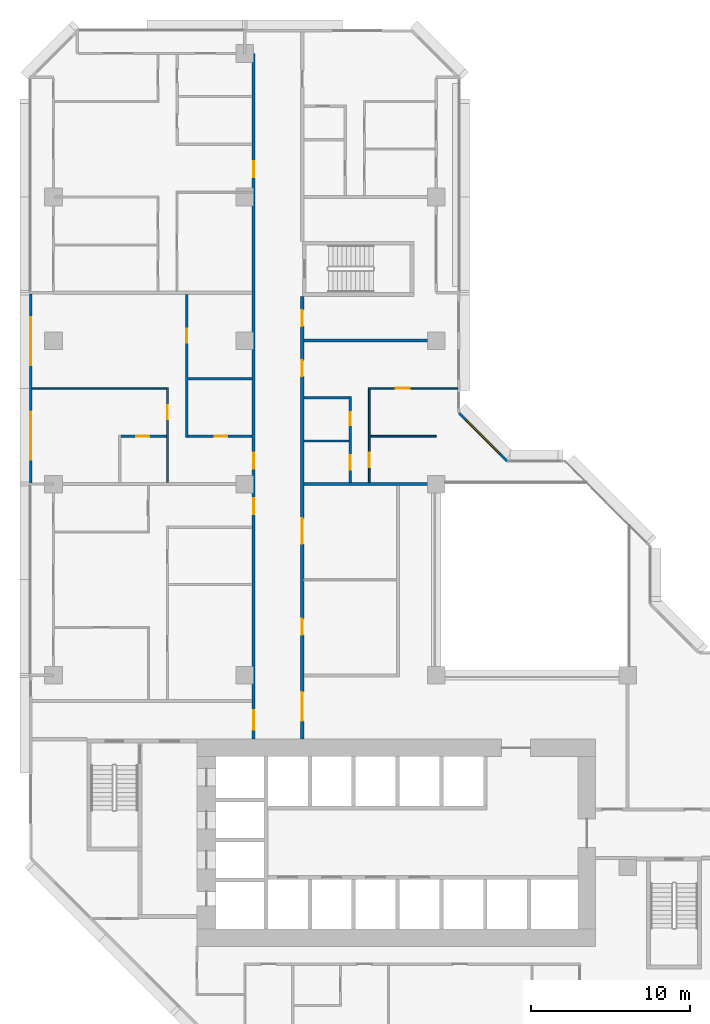
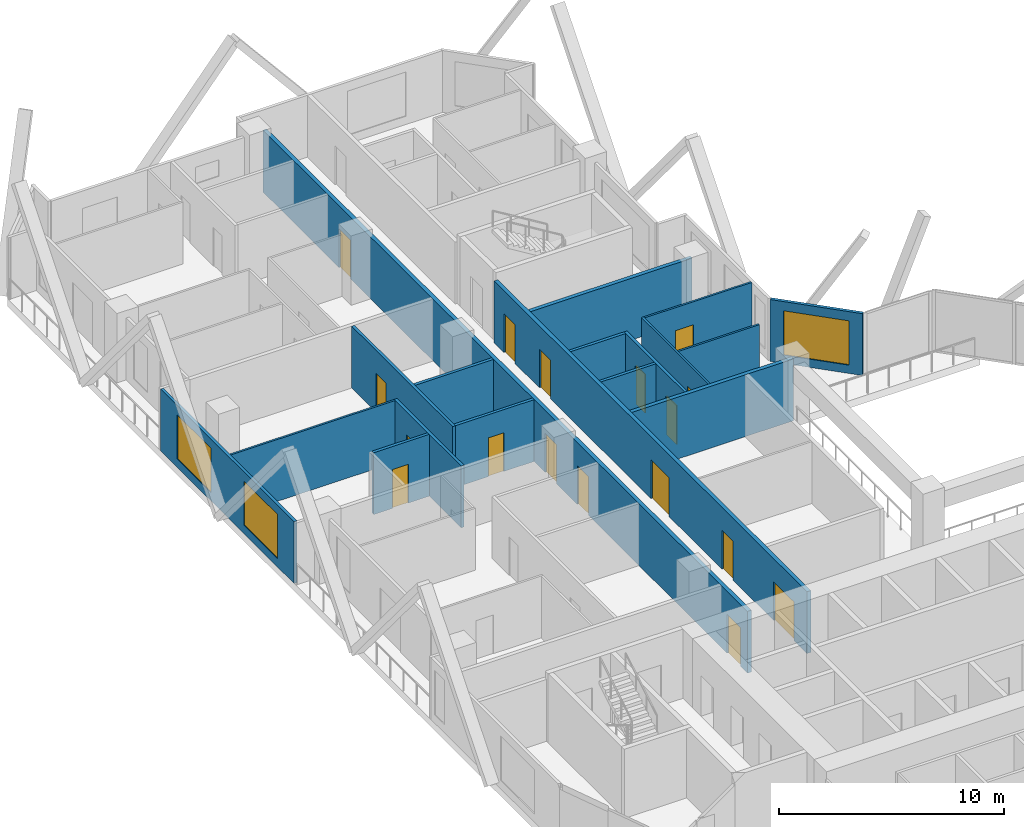
# One storey, part 9 of 16: 18 walls, 17 doors, 3 windows, 20 openings.
"""IFC4 building model written with IfcOpenShell, lengths in metres."""

from ifc_helpers import new_model, si_unit, direction, frame, frame_2d, origin, place, context, subcontext, project, spatial, rectangle, extrude, material, layer, layer_set, type_object, element, fill, save


model = new_model("IFC4")

# Units and contexts
model_context = context("Model", 3, precision=1e-05, world=origin(), true_north=direction((0.0, 1.0)))
body_context = subcontext(model_context, "Body", "Model", "MODEL_VIEW")
ifc_project = project(units=[si_unit("LENGTHUNIT", "METRE"), si_unit("AREAUNIT", "SQUARE_METRE"), si_unit("VOLUMEUNIT", "CUBIC_METRE"), si_unit("PLANEANGLEUNIT", "RADIAN"), si_unit("MASSUNIT", "GRAM", prefix="KILO")], contexts=[model_context])

# Site, building, storey
site_placement = place(None, origin())
site = spatial("IfcSite", under=ifc_project, at=site_placement, CompositionType="ELEMENT")
building_placement = place(site_placement, origin())
building = spatial("IfcBuilding", under=site, at=building_placement, Name="Chenar Terraces", CompositionType="ELEMENT")
storey_placement = place(building_placement, frame((0.0, 0.0, 78.89990234375)))
storey = spatial("IfcBuildingStorey", under=building, at=storey_placement, Name="L17", CompositionType="ELEMENT", Elevation=78.89990234375)

# Wall, openings, doors
ifc_material_1 = material(Name="Gypsum board on steel studs with fire boards", Category="steel")
ifc_layer_1 = layer(ifc_material_1, 0.199951171875)
ifc_layer_set_1 = layer_set([ifc_layer_1], Name="Gypsum board on steel studs with fire boards")
wall_type_1 = type_object("IfcWallType", Name="Corridor wall 200", PredefinedType="PARTITIONING", material=ifc_layer_set_1)
wall_1_placement = place(storey_placement, frame((12.550048828125, 20.0, 0.0), z_axis=(0.0, 0.0, 1.0), x_axis=(0.0, 1.0, 0.0)))
wall_1 = element("IfcWall", 1, at=wall_1_placement, inside=storey, type_object=wall_type_1, Name="Partition L17-034", PredefinedType="PARTITIONING", context=body_context, shape_type="SweptSolid", body=[
    extrude(rectangle(XDim=43.0, YDim=0.199951171875, at=frame_2d((21.5, 0.0))), origin(), (0.0, 0.0, 1.0), 3.35009765625),
])
opening_1_placement = place(wall_1_placement, frame((16.949951171875, 0.0, 0.0)))
opening_1 = element("IfcOpeningElement", 2, at=opening_1_placement, cuts=wall_1, Name="Opening DL17-44", PredefinedType="OPENING", context=body_context, shape_type="SweptSolid", body=[
    extrude(rectangle(XDim=1.0, YDim=2.10009765625, at=frame_2d((0.5, 1.050048828125))), frame((0.0, 0.10986328125, 0.0), z_axis=(0.0, -1.0, 0.0), x_axis=(1.0, 0.0, 0.0)), (0.0, 0.0, 1.0), 0.219970703125),
])
opening_2_placement = place(wall_1_placement, frame((35.25, 0.0, 0.0)))
opening_2 = element("IfcOpeningElement", 3, at=opening_2_placement, cuts=wall_1, Name="Opening DL17-50", PredefinedType="OPENING", context=body_context, shape_type="SweptSolid", body=[
    extrude(rectangle(XDim=1.0, YDim=2.10009765625, at=frame_2d((0.5, 1.050048828125))), frame((0.0, 0.10986328125, 0.0), z_axis=(0.0, -1.0, 0.0), x_axis=(1.0, 0.0, 0.0)), (0.0, 0.0, 1.0), 0.219970703125),
])
opening_3_placement = place(wall_1_placement, frame((0.60009765625, 0.0, 0.0)))
opening_3 = element("IfcOpeningElement", 4, at=opening_3_placement, cuts=wall_1, Name="Opening DL17-54", PredefinedType="OPENING", context=body_context, shape_type="SweptSolid", body=[
    extrude(rectangle(XDim=1.199951171875, YDim=2.10009765625, at=frame_2d((0.60009765625, 1.050048828125))), frame((0.0, 0.10986328125, 0.0), z_axis=(0.0, -1.0, 0.0), x_axis=(1.0, 0.0, 0.0)), (0.0, 0.0, 1.0), 0.219970703125),
])
opening_4_placement = place(wall_1_placement, frame((14.10009765625, 0.0, 0.0)))
opening_4 = element("IfcOpeningElement", 5, at=opening_4_placement, cuts=wall_1, Name="Opening DL17-74", PredefinedType="OPENING", context=body_context, shape_type="SweptSolid", body=[
    extrude(rectangle(XDim=1.0, YDim=2.10009765625, at=frame_2d((0.5, 1.050048828125))), frame((0.0, 0.10986328125, 0.0), z_axis=(0.0, -1.0, 0.0), x_axis=(1.0, 0.0, 0.0)), (0.0, 0.0, 1.0), 0.219970703125),
])
ifc_material_2 = material(Name="Steel-framed fire-resisting door leaf", Category="steel")
door_type_1 = type_object("IfcDoorType", Name="Fire door FD30S 1000 x 2100", OperationType="SINGLE_SWING_LEFT", PredefinedType="DOOR", material=ifc_material_2)
door_1_placement = place(opening_1_placement, origin())
door_1 = element("IfcDoor", 6, at=door_1_placement, inside=storey, type_object=door_type_1, Name="Door DL17-44", OperationType="SINGLE_SWING_LEFT", OverallHeight=2.10009765625, OverallWidth=1.0, PredefinedType="DOOR", context=body_context, shape_type="SweptSolid", body=[
    extrude(rectangle(XDim=1.0, YDim=2.10009765625, at=frame_2d((0.5, 1.050048828125))), frame((0.0, 0.02490234375, 0.0), z_axis=(0.0, -1.0, 0.0), x_axis=(1.0, 0.0, 0.0)), (0.0, 0.0, 1.0), 0.050048828125),
])
fill(opening_1, door_1)
door_2_placement = place(opening_2_placement, origin())
door_2 = element("IfcDoor", 7, at=door_2_placement, inside=storey, type_object=door_type_1, Name="Door DL17-50", OperationType="SINGLE_SWING_LEFT", OverallHeight=2.10009765625, OverallWidth=1.0, PredefinedType="DOOR", context=body_context, shape_type="SweptSolid", body=[
    extrude(rectangle(XDim=1.0, YDim=2.10009765625, at=frame_2d((0.5, 1.050048828125))), frame((0.0, 0.02490234375, 0.0), z_axis=(0.0, -1.0, 0.0), x_axis=(1.0, 0.0, 0.0)), (0.0, 0.0, 1.0), 0.050048828125),
])
fill(opening_2, door_2)
door_3_placement = place(opening_4_placement, origin())
door_3 = element("IfcDoor", 8, at=door_3_placement, inside=storey, type_object=door_type_1, Name="Door DL17-74", OperationType="SINGLE_SWING_RIGHT", OverallHeight=2.10009765625, OverallWidth=1.0, PredefinedType="DOOR", context=body_context, shape_type="SweptSolid", body=[
    extrude(rectangle(XDim=1.0, YDim=2.10009765625, at=frame_2d((0.5, 1.050048828125))), frame((0.0, 0.02490234375, 0.0), z_axis=(0.0, -1.0, 0.0), x_axis=(1.0, 0.0, 0.0)), (0.0, 0.0, 1.0), 0.050048828125),
])
fill(opening_4, door_3)
ifc_material_3 = material(Name="Steel-framed fire-resisting door leaf", Category="steel")
door_type_2 = type_object("IfcDoorType", Name="Fire door FD30S 1200 x 2100", OperationType="SINGLE_SWING_LEFT", PredefinedType="DOOR", material=ifc_material_3)
door_4_placement = place(opening_3_placement, origin())
door_4 = element("IfcDoor", 9, at=door_4_placement, inside=storey, type_object=door_type_2, Name="Door DL17-54", OperationType="SINGLE_SWING_RIGHT", OverallHeight=2.10009765625, OverallWidth=1.199951171875, PredefinedType="DOOR", context=body_context, shape_type="SweptSolid", body=[
    extrude(rectangle(XDim=1.199951171875, YDim=2.10009765625, at=frame_2d((0.60009765625, 1.050048828125))), frame((0.0, 0.02490234375, 0.0), z_axis=(0.0, -1.0, 0.0), x_axis=(1.0, 0.0, 0.0)), (0.0, 0.0, 1.0), 0.050048828125),
])
fill(opening_3, door_4)

wall_2_placement = place(storey_placement, frame((15.60009765625, 20.0, 0.0), z_axis=(0.0, 0.0, 1.0), x_axis=(0.0, 1.0, 0.0)))
wall_2 = element("IfcWall", 10, at=wall_2_placement, inside=storey, type_object=wall_type_1, Name="Partition L17-037", PredefinedType="PARTITIONING", context=body_context, shape_type="SweptSolid", body=[
    extrude(rectangle(XDim=27.77490234375, YDim=0.199951171875, at=frame_2d((13.887451171875, 0.0))), origin(), (0.0, 0.0, 1.0), 3.35009765625),
])
opening_5_placement = place(wall_2_placement, frame((6.550048828125, 0.0, 0.0)))
opening_5 = element("IfcOpeningElement", 11, at=opening_5_placement, cuts=wall_2, Name="Opening DL17-1", PredefinedType="OPENING", context=body_context, shape_type="SweptSolid", body=[
    extrude(rectangle(XDim=1.0, YDim=2.10009765625, at=frame_2d((0.5, 1.050048828125))), frame((0.0, 0.10986328125, 0.0), z_axis=(0.0, -1.0, 0.0), x_axis=(1.0, 0.0, 0.0)), (0.0, 0.0, 1.0), 0.219970703125),
])
opening_6_placement = place(wall_2_placement, frame((12.25, 0.0, 0.0)))
opening_6 = element("IfcOpeningElement", 12, at=opening_6_placement, cuts=wall_2, Name="Opening DL17-2", PredefinedType="OPENING", context=body_context, shape_type="SweptSolid", body=[
    extrude(rectangle(XDim=1.60009765625, YDim=2.10009765625, at=frame_2d((0.800048828125, 1.050048828125))), frame((0.0, 0.10986328125, 0.0), z_axis=(0.0, -1.0, 0.0), x_axis=(1.0, 0.0, 0.0)), (0.0, 0.0, 1.0), 0.219970703125),
])
opening_7_placement = place(wall_2_placement, frame((22.75, 0.0, 0.0)))
opening_7 = element("IfcOpeningElement", 13, at=opening_7_placement, cuts=wall_2, Name="Opening DL17-34", PredefinedType="OPENING", context=body_context, shape_type="SweptSolid", body=[
    extrude(rectangle(XDim=1.0, YDim=2.10009765625, at=frame_2d((0.5, 1.050048828125))), frame((0.0, 0.10986328125, 0.0), z_axis=(0.0, -1.0, 0.0), x_axis=(1.0, 0.0, 0.0)), (0.0, 0.0, 1.0), 0.219970703125),
])
opening_8_placement = place(wall_2_placement, frame((1.14990234375, 0.0, 0.0)))
opening_8 = element("IfcOpeningElement", 14, at=opening_8_placement, cuts=wall_2, Name="Opening DL17-53", PredefinedType="OPENING", context=body_context, shape_type="SweptSolid", body=[
    extrude(rectangle(XDim=1.800048828125, YDim=2.10009765625, at=frame_2d((0.89990234375, 1.050048828125))), frame((0.0, 0.10986328125, 0.0), z_axis=(0.0, -1.0, 0.0), x_axis=(1.0, 0.0, 0.0)), (0.0, 0.0, 1.0), 0.219970703125),
])
opening_9_placement = place(wall_2_placement, frame((25.89990234375, 0.0, 0.0)))
opening_9 = element("IfcOpeningElement", 15, at=opening_9_placement, cuts=wall_2, Name="Opening DL17-56", PredefinedType="OPENING", context=body_context, shape_type="SweptSolid", body=[
    extrude(rectangle(XDim=1.0, YDim=2.10009765625, at=frame_2d((0.5, 1.050048828125))), frame((0.0, 0.10986328125, 0.0), z_axis=(0.0, -1.0, 0.0), x_axis=(1.0, 0.0, 0.0)), (0.0, 0.0, 1.0), 0.219970703125),
])
ifc_material_4 = material(Name="Steel-framed fire-resisting door leaf", Category="steel")
door_type_3 = type_object("IfcDoorType", Name="Fire door FD60 1000 x 2100", OperationType="SINGLE_SWING_LEFT", PredefinedType="DOOR", material=ifc_material_4)
door_5_placement = place(opening_5_placement, frame((1.0, 0.0, 0.0), z_axis=(0.0, 0.0, 1.0), x_axis=(-1.0, 0.0, 0.0)))
door_5 = element("IfcDoor", 16, at=door_5_placement, inside=storey, type_object=door_type_3, Name="Door DL17-1", OperationType="SINGLE_SWING_LEFT", OverallHeight=2.10009765625, OverallWidth=1.0, PredefinedType="DOOR", context=body_context, shape_type="SweptSolid", body=[
    extrude(rectangle(XDim=1.0, YDim=2.10009765625, at=frame_2d((0.5, 1.050048828125))), frame((0.0, 0.02490234375, 0.0), z_axis=(0.0, -1.0, 0.0), x_axis=(1.0, 0.0, 0.0)), (0.0, 0.0, 1.0), 0.050048828125),
])
fill(opening_5, door_5)
door_6_placement = place(opening_7_placement, frame((1.0, 0.0, 0.0), z_axis=(0.0, 0.0, 1.0), x_axis=(-1.0, 0.0, 0.0)))
door_6 = element("IfcDoor", 17, at=door_6_placement, inside=storey, type_object=door_type_3, Name="Door DL17-34", OperationType="SINGLE_SWING_LEFT", OverallHeight=2.10009765625, OverallWidth=1.0, PredefinedType="DOOR", context=body_context, shape_type="SweptSolid", body=[
    extrude(rectangle(XDim=1.0, YDim=2.10009765625, at=frame_2d((0.5, 1.050048828125))), frame((0.0, 0.02490234375, 0.0), z_axis=(0.0, -1.0, 0.0), x_axis=(1.0, 0.0, 0.0)), (0.0, 0.0, 1.0), 0.050048828125),
])
fill(opening_7, door_6)
door_7_placement = place(opening_9_placement, frame((1.0, 0.0, 0.0), z_axis=(0.0, 0.0, 1.0), x_axis=(-1.0, 0.0, 0.0)))
door_7 = element("IfcDoor", 18, at=door_7_placement, inside=storey, type_object=door_type_3, Name="Door DL17-56", OperationType="SINGLE_SWING_RIGHT", OverallHeight=2.10009765625, OverallWidth=1.0, PredefinedType="DOOR", context=body_context, shape_type="SweptSolid", body=[
    extrude(rectangle(XDim=1.0, YDim=2.10009765625, at=frame_2d((0.5, 1.050048828125))), frame((0.0, 0.02490234375, 0.0), z_axis=(0.0, -1.0, 0.0), x_axis=(1.0, 0.0, 0.0)), (0.0, 0.0, 1.0), 0.050048828125),
])
fill(opening_9, door_7)
ifc_material_5 = material(Name="Steel-framed fire-resisting door leaf", Category="steel")
door_type_4 = type_object("IfcDoorType", Name="Fire double door FD60 1600 x 2100", OperationType="DOUBLE_DOOR_SINGLE_SWING", PredefinedType="DOOR", material=ifc_material_5)
door_8_placement = place(opening_6_placement, frame((1.60009765625, 0.0, 0.0), z_axis=(0.0, 0.0, 1.0), x_axis=(-1.0, 0.0, 0.0)))
door_8 = element("IfcDoor", 19, at=door_8_placement, inside=storey, type_object=door_type_4, Name="Door DL17-2", OperationType="DOUBLE_DOOR_SINGLE_SWING", OverallHeight=2.10009765625, OverallWidth=1.60009765625, PredefinedType="DOOR", context=body_context, shape_type="SweptSolid", body=[
    extrude(rectangle(XDim=1.60009765625, YDim=2.10009765625, at=frame_2d((0.800048828125, 1.050048828125))), frame((0.0, 0.02490234375, 0.0), z_axis=(0.0, -1.0, 0.0), x_axis=(1.0, 0.0, 0.0)), (0.0, 0.0, 1.0), 0.050048828125),
])
fill(opening_6, door_8)
ifc_material_6 = material(Name="Steel-framed fire-resisting door leaf", Category="steel")
door_type_5 = type_object("IfcDoorType", Name="Fire double door FD60 1800 x 2100", OperationType="DOUBLE_DOOR_SINGLE_SWING", PredefinedType="DOOR", material=ifc_material_6)
door_9_placement = place(opening_8_placement, frame((1.800048828125, 0.0, 0.0), z_axis=(0.0, 0.0, 1.0), x_axis=(-1.0, 0.0, 0.0)))
door_9 = element("IfcDoor", 20, at=door_9_placement, inside=storey, type_object=door_type_5, Name="Door DL17-53", OperationType="DOUBLE_DOOR_SINGLE_SWING", OverallHeight=2.10009765625, OverallWidth=1.800048828125, PredefinedType="DOOR", context=body_context, shape_type="SweptSolid", body=[
    extrude(rectangle(XDim=1.800048828125, YDim=2.10009765625, at=frame_2d((0.89990234375, 1.050048828125))), frame((0.0, 0.02490234375, 0.0), z_axis=(0.0, -1.0, 0.0), x_axis=(1.0, 0.0, 0.0)), (0.0, 0.0, 1.0), 0.050048828125),
])
fill(opening_8, door_9)

# Wall, openings, windows
ifc_material_7 = material(Name="Aluminium framed glazing", Category="aluminium")
ifc_layer_2 = layer(ifc_material_7, 0.14990234375)
ifc_layer_set_2 = layer_set([ifc_layer_2], Name="Aluminium framed glazing")
wall_type_2 = type_object("IfcWallType", Name="Glazed flush facade wall 150", PredefinedType="SOLIDWALL", material=ifc_layer_set_2)
wall_3_placement = place(storey_placement, frame((-1.425048828125, 47.925048828125, 0.0), z_axis=(0.0, 0.0, 1.0), x_axis=(0.0, -1.0, 0.0)))
wall_3 = element("IfcWall", 21, at=wall_3_placement, inside=storey, type_object=wall_type_2, Name="Glazed flush facade wall", PredefinedType="SOLIDWALL", context=body_context, shape_type="SweptSolid", body=[
    extrude(rectangle(XDim=11.85009765625, YDim=0.14990234375, at=frame_2d((5.925048828125, 0.0))), origin(), (0.0, 0.0, 1.0), 3.35009765625),
])
opening_10_placement = place(wall_3_placement, frame((1.46240234375, 0.0, 0.449951171875)))
opening_10 = element("IfcOpeningElement", 22, at=opening_10_placement, cuts=wall_3, Name="Opening W300x240", PredefinedType="OPENING", context=body_context, shape_type="SweptSolid", body=[
    extrude(rectangle(XDim=3.0, YDim=2.39990234375, at=frame_2d((1.5, 1.199951171875))), frame((0.0, 0.0849609375, 0.0), z_axis=(0.0, -1.0, 0.0), x_axis=(1.0, 0.0, 0.0)), (0.0, 0.0, 1.0), 0.169921875),
])
opening_11_placement = place(wall_3_placement, frame((7.387451171875, 0.0, 0.449951171875)))
opening_11 = element("IfcOpeningElement", 23, at=opening_11_placement, cuts=wall_3, Name="Opening W300x240", PredefinedType="OPENING", context=body_context, shape_type="SweptSolid", body=[
    extrude(rectangle(XDim=3.0, YDim=2.39990234375, at=frame_2d((1.5, 1.199951171875))), frame((0.0, 0.0849609375, 0.0), z_axis=(0.0, -1.0, 0.0), x_axis=(1.0, 0.0, 0.0)), (0.0, 0.0, 1.0), 0.169921875),
])
ifc_material_8 = material(Name="Low emissivity double glazing, aluminium frame", Category="aluminium")
window_type = type_object("IfcWindowType", Name="Fixed light 3000 x 2400", PartitioningType="SINGLE_PANEL", PredefinedType="WINDOW", material=ifc_material_8)
window_1_placement = place(opening_10_placement, origin())
window_1 = element("IfcWindow", 24, at=window_1_placement, inside=storey, type_object=window_type, Name="Window", OverallHeight=2.39990234375, OverallWidth=3.0, PartitioningType="SINGLE_PANEL", PredefinedType="WINDOW", context=body_context, shape_type="SweptSolid", body=[
    extrude(rectangle(XDim=3.0, YDim=2.39990234375, at=frame_2d((1.5, 1.199951171875))), frame((0.0, 0.030029296875, 0.0), z_axis=(0.0, -1.0, 0.0), x_axis=(1.0, 0.0, 0.0)), (0.0, 0.0, 1.0), 0.06005859375),
])
fill(opening_10, window_1)
window_2_placement = place(opening_11_placement, origin())
window_2 = element("IfcWindow", 25, at=window_2_placement, inside=storey, type_object=window_type, Name="Window", OverallHeight=2.39990234375, OverallWidth=3.0, PartitioningType="SINGLE_PANEL", PredefinedType="WINDOW", context=body_context, shape_type="SweptSolid", body=[
    extrude(rectangle(XDim=3.0, YDim=2.39990234375, at=frame_2d((1.5, 1.199951171875))), frame((0.0, 0.030029296875, 0.0), z_axis=(0.0, -1.0, 0.0), x_axis=(1.0, 0.0, 0.0)), (0.0, 0.0, 1.0), 0.06005859375),
])
fill(opening_11, window_2)

# Wall
ifc_material_9 = material(Name="Gypsum board on steel studs", Category="steel")
ifc_layer_3 = layer(ifc_material_9, 0.10009765625)
ifc_layer_set_3 = layer_set([ifc_layer_3], Name="Gypsum board on steel studs")
wall_type_3 = type_object("IfcWallType", Name="Gypsum partition 100", PredefinedType="PARTITIONING", material=ifc_layer_set_3)
wall_4_placement = place(storey_placement, frame((-1.35009765625, 42.0, 0.0), z_axis=(0.0, 0.0, 1.0), x_axis=(1.0, 0.0, 0.0)))
element("IfcWall", 26, at=wall_4_placement, inside=storey, type_object=wall_type_3, Name="Partition L17-004", PredefinedType="PARTITIONING", context=body_context, shape_type="SweptSolid", body=[
    extrude(rectangle(XDim=8.425048828125, YDim=0.10009765625, at=frame_2d((4.21240234375, 0.0))), origin(), (0.0, 0.0, 1.0), 3.35009765625),
])

# Wall, opening, door
wall_5_placement = place(storey_placement, frame((19.800048828125, 36.10009765625, 0.0), z_axis=(0.0, 0.0, 1.0), x_axis=(0.0, 1.0, 0.0)))
wall_5 = element("IfcWall", 27, at=wall_5_placement, inside=storey, type_object=wall_type_3, Name="Partition L17-054", PredefinedType="PARTITIONING", context=body_context, shape_type="SweptSolid", body=[
    extrude(rectangle(XDim=5.949951171875, YDim=0.10009765625, at=frame_2d((2.97509765625, 0.0))), origin(), (0.0, 0.0, 1.0), 3.35009765625),
])
opening_12_placement = place(wall_5_placement, frame((0.949951171875, 0.0, 0.0)))
opening_12 = element("IfcOpeningElement", 28, at=opening_12_placement, cuts=wall_5, Name="Opening DL17-31", PredefinedType="OPENING", context=body_context, shape_type="SweptSolid", body=[
    extrude(rectangle(XDim=0.89990234375, YDim=2.10009765625, at=frame_2d((0.449951171875, 1.050048828125))), frame((0.0, 0.06005859375, 0.0), z_axis=(0.0, -1.0, 0.0), x_axis=(1.0, 0.0, 0.0)), (0.0, 0.0, 1.0), 0.1201171875),
])
ifc_material_10 = material(Name="Veneered timber door leaf", Category="wood")
door_type_6 = type_object("IfcDoorType", Name="Door 900 x 2100", OperationType="SINGLE_SWING_LEFT", PredefinedType="DOOR", material=ifc_material_10)
door_10_placement = place(opening_12_placement, frame((0.89990234375, 0.0, 0.0), z_axis=(0.0, 0.0, 1.0), x_axis=(-1.0, 0.0, 0.0)))
door_10 = element("IfcDoor", 29, at=door_10_placement, inside=storey, type_object=door_type_6, Name="Door DL17-31", OperationType="SINGLE_SWING_LEFT", OverallHeight=2.10009765625, OverallWidth=0.89990234375, PredefinedType="DOOR", context=body_context, shape_type="SweptSolid", body=[
    extrude(rectangle(XDim=0.89990234375, YDim=2.10009765625, at=frame_2d((0.449951171875, 1.050048828125))), frame((0.0, 0.02490234375, 0.0), z_axis=(0.0, -1.0, 0.0), x_axis=(1.0, 0.0, 0.0)), (0.0, 0.0, 1.0), 0.050048828125),
])
fill(opening_12, door_10)

# Wall
wall_6_placement = place(storey_placement, frame((19.85009765625, 39.0, 0.0), z_axis=(0.0, 0.0, 1.0), x_axis=(1.0, 0.0, 0.0)))
element("IfcWall", 30, at=wall_6_placement, inside=storey, type_object=wall_type_3, Name="Partition L17-055", PredefinedType="PARTITIONING", context=body_context, shape_type="SweptSolid", body=[
    extrude(rectangle(XDim=4.14990234375, YDim=0.10009765625, at=frame_2d((2.074951171875, 0.0))), origin(), (0.0, 0.0, 1.0), 3.35009765625),
])

# Wall, opening, door
wall_7_placement = place(storey_placement, frame((19.85009765625, 42.0, 0.0), z_axis=(0.0, 0.0, 1.0), x_axis=(1.0, 0.0, 0.0)))
wall_7 = element("IfcWall", 31, at=wall_7_placement, inside=storey, type_object=wall_type_3, Name="Partition L17-056", PredefinedType="PARTITIONING", context=body_context, shape_type="SweptSolid", body=[
    extrude(rectangle(XDim=5.5, YDim=0.10009765625, at=frame_2d((2.75, 0.0))), origin(), (0.0, 0.0, 1.0), 3.35009765625),
])
opening_13_placement = place(wall_7_placement, frame((1.60009765625, 0.0, 0.0)))
opening_13 = element("IfcOpeningElement", 32, at=opening_13_placement, cuts=wall_7, Name="Opening DL17-32", PredefinedType="OPENING", context=body_context, shape_type="SweptSolid", body=[
    extrude(rectangle(XDim=0.89990234375, YDim=2.10009765625, at=frame_2d((0.449951171875, 1.050048828125))), frame((0.0, 0.06005859375, 0.0), z_axis=(0.0, -1.0, 0.0), x_axis=(1.0, 0.0, 0.0)), (0.0, 0.0, 1.0), 0.1201171875),
])
door_11_placement = place(opening_13_placement, frame((0.89990234375, 0.0, 0.0), z_axis=(0.0, 0.0, 1.0), x_axis=(-1.0, 0.0, 0.0)))
door_11 = element("IfcDoor", 33, at=door_11_placement, inside=storey, type_object=door_type_6, Name="Door DL17-32", OperationType="SINGLE_SWING_LEFT", OverallHeight=2.10009765625, OverallWidth=0.89990234375, PredefinedType="DOOR", context=body_context, shape_type="SweptSolid", body=[
    extrude(rectangle(XDim=0.89990234375, YDim=2.10009765625, at=frame_2d((0.449951171875, 1.050048828125))), frame((0.0, 0.02490234375, 0.0), z_axis=(0.0, -1.0, 0.0), x_axis=(1.0, 0.0, 0.0)), (0.0, 0.0, 1.0), 0.050048828125),
])
fill(opening_13, door_11)

# Wall, opening, window
ifc_material_11 = material(Name="Terracotta cladding on insulated backing", Category="masonry")
ifc_layer_4 = layer(ifc_material_11, 0.14990234375)
ifc_layer_set_4 = layer_set([ifc_layer_4], Name="Terracotta cladding on insulated backing")
wall_type_4 = type_object("IfcWallType", Name="Terracotta rainscreen wall 150", PredefinedType="SOLIDWALL", material=ifc_layer_set_4)
wall_8_placement = place(storey_placement, frame((28.447021484375, 37.447021484375, 0.0), z_axis=(0.0, 0.0, 1.0), x_axis=(-0.707106781187, 0.707106781187, 0.0)))
wall_8 = element("IfcWall", 34, at=wall_8_placement, inside=storey, type_object=wall_type_4, Name="Terracotta rainscreen wall", PredefinedType="SOLIDWALL", context=body_context, shape_type="SweptSolid", body=[
    extrude(rectangle(XDim=4.24267578125, YDim=0.14990234375, at=frame_2d((2.121337890625, 0.0))), origin(), (0.0, 0.0, 1.0), 3.35009765625),
])
opening_14_placement = place(wall_8_placement, frame((0.621337890625, 0.0, 0.449951171875)))
opening_14 = element("IfcOpeningElement", 35, at=opening_14_placement, cuts=wall_8, Name="Opening W300x240", PredefinedType="OPENING", context=body_context, shape_type="SweptSolid", body=[
    extrude(rectangle(XDim=3.0, YDim=2.39990234375, at=frame_2d((1.5, 1.199951171875))), frame((0.0, 0.0849609375, 0.0), z_axis=(0.0, -1.0, 0.0), x_axis=(1.0, 0.0, 0.0)), (0.0, 0.0, 1.0), 0.169921875),
])
window_3_placement = place(opening_14_placement, origin())
window_3 = element("IfcWindow", 36, at=window_3_placement, inside=storey, type_object=window_type, Name="Window", OverallHeight=2.39990234375, OverallWidth=3.0, PartitioningType="SINGLE_PANEL", PredefinedType="WINDOW", context=body_context, shape_type="SweptSolid", body=[
    extrude(rectangle(XDim=3.0, YDim=2.39990234375, at=frame_2d((1.5, 1.199951171875))), frame((0.0, 0.030029296875, 0.0), z_axis=(0.0, -1.0, 0.0), x_axis=(1.0, 0.0, 0.0)), (0.0, 0.0, 1.0), 0.06005859375),
])
fill(opening_14, window_3)

# Walls
ifc_material_12 = material(Name="Twin gypsum board on steel studs with mineral wool", Category="steel")
ifc_layer_5 = layer(ifc_material_12, 0.199951171875)
ifc_layer_set_5 = layer_set([ifc_layer_5], Name="Twin gypsum board on steel studs with mineral wool")
wall_type_5 = type_object("IfcWallType", Name="Unit demising wall 200", PredefinedType="PARTITIONING", material=ifc_layer_set_5)
for number, where, z_axis, x_axis, name in (
    (37, (15.699951171875, 36.0, 0.0), (0.0, 0.0, 1.0), (1.0, 0.0, 0.0), "Partition L17-041"),
    (38, (15.699951171875, 45.0, 0.0), (0.0, 0.0, 1.0), (1.0, 0.0, 0.0), "Partition L17-044"),
):
    element("IfcWall", number, at=place(storey_placement, frame(where, z_axis=z_axis, x_axis=x_axis)), inside=storey, type_object=wall_type_5, Name=name, PredefinedType="PARTITIONING", context=body_context, shape_type="SweptSolid", body=[
        extrude(rectangle(XDim=8.300048828125, YDim=0.199951171875, at=frame_2d((4.14990234375, 0.0))), origin(), (0.0, 0.0, 1.0), 3.35009765625),
    ])

# Wall, opening, door
ifc_material_13 = material(Name="Moisture-resistant gypsum board on steel studs", Category="steel")
ifc_layer_6 = layer(ifc_material_13, 0.14990234375)
ifc_layer_set_6 = layer_set([ifc_layer_6], Name="Moisture-resistant gypsum board on steel studs")
wall_type_6 = type_object("IfcWallType", Name="Wet-room partition 150", PredefinedType="PARTITIONING", material=ifc_layer_set_6)
wall_9_placement = place(storey_placement, frame((4.22509765625, 39.0, 0.0), z_axis=(0.0, 0.0, 1.0), x_axis=(1.0, 0.0, 0.0)))
wall_9 = element("IfcWall", 39, at=wall_9_placement, inside=storey, type_object=wall_type_6, Name="Partition L17-013", PredefinedType="PARTITIONING", context=body_context, shape_type="SweptSolid", body=[
    extrude(rectangle(XDim=2.849853515625, YDim=0.14990234375, at=frame_2d((1.4248046875, 0.0))), origin(), (0.0, 0.0, 1.0), 3.35009765625),
])
opening_15_placement = place(wall_9_placement, frame((0.97509765625, 0.0, 0.0)))
opening_15 = element("IfcOpeningElement", 40, at=opening_15_placement, cuts=wall_9, Name="Opening DL17-42", PredefinedType="OPENING", context=body_context, shape_type="SweptSolid", body=[
    extrude(rectangle(XDim=0.800048828125, YDim=2.10009765625, at=frame_2d((0.39990234375, 1.050048828125))), frame((0.0, 0.0849609375, 0.0), z_axis=(0.0, -1.0, 0.0), x_axis=(1.0, 0.0, 0.0)), (0.0, 0.0, 1.0), 0.169921875),
])
ifc_material_14 = material(Name="Veneered timber door leaf", Category="wood")
door_type_7 = type_object("IfcDoorType", Name="Door 800 x 2100", OperationType="SINGLE_SWING_LEFT", PredefinedType="DOOR", material=ifc_material_14)
door_12_placement = place(opening_15_placement, frame((0.800048828125, 0.0, 0.0), z_axis=(0.0, 0.0, 1.0), x_axis=(-1.0, 0.0, 0.0)))
door_12 = element("IfcDoor", 41, at=door_12_placement, inside=storey, type_object=door_type_7, Name="Door DL17-42", OperationType="SINGLE_SWING_RIGHT", OverallHeight=2.10009765625, OverallWidth=0.800048828125, PredefinedType="DOOR", context=body_context, shape_type="SweptSolid", body=[
    extrude(rectangle(XDim=0.800048828125, YDim=2.10009765625, at=frame_2d((0.39990234375, 1.050048828125))), frame((0.0, 0.02490234375, 0.0), z_axis=(0.0, -1.0, 0.0), x_axis=(1.0, 0.0, 0.0)), (0.0, 0.0, 1.0), 0.050048828125),
])
fill(opening_15, door_12)

wall_10_placement = place(storey_placement, frame((7.14990234375, 36.10009765625, 0.0), z_axis=(0.0, 0.0, 1.0), x_axis=(0.0, 1.0, 0.0)))
wall_10 = element("IfcWall", 42, at=wall_10_placement, inside=storey, type_object=wall_type_6, Name="Partition L17-019", PredefinedType="PARTITIONING", context=body_context, shape_type="SweptSolid", body=[
    extrude(rectangle(XDim=5.949951171875, YDim=0.14990234375, at=frame_2d((2.97509765625, 0.0))), origin(), (0.0, 0.0, 1.0), 3.35009765625),
])
opening_16_placement = place(wall_10_placement, frame((3.949951171875, 0.0, 0.0)))
opening_16 = element("IfcOpeningElement", 43, at=opening_16_placement, cuts=wall_10, Name="Opening DL17-41", PredefinedType="OPENING", context=body_context, shape_type="SweptSolid", body=[
    extrude(rectangle(XDim=0.89990234375, YDim=2.10009765625, at=frame_2d((0.449951171875, 1.050048828125))), frame((0.0, 0.0849609375, 0.0), z_axis=(0.0, -1.0, 0.0), x_axis=(1.0, 0.0, 0.0)), (0.0, 0.0, 1.0), 0.169921875),
])
door_13_placement = place(opening_16_placement, origin())
door_13 = element("IfcDoor", 44, at=door_13_placement, inside=storey, type_object=door_type_6, Name="Door DL17-41", OperationType="SINGLE_SWING_RIGHT", OverallHeight=2.10009765625, OverallWidth=0.89990234375, PredefinedType="DOOR", context=body_context, shape_type="SweptSolid", body=[
    extrude(rectangle(XDim=0.89990234375, YDim=2.10009765625, at=frame_2d((0.449951171875, 1.050048828125))), frame((0.0, 0.02490234375, 0.0), z_axis=(0.0, -1.0, 0.0), x_axis=(1.0, 0.0, 0.0)), (0.0, 0.0, 1.0), 0.050048828125),
])
fill(opening_16, door_13)

wall_11_placement = place(storey_placement, frame((8.35009765625, 38.925048828125, 0.0), z_axis=(0.0, 0.0, 1.0), x_axis=(0.0, 1.0, 0.0)))
wall_11 = element("IfcWall", 45, at=wall_11_placement, inside=storey, type_object=wall_type_6, Name="Partition L17-027", PredefinedType="PARTITIONING", context=body_context, shape_type="SweptSolid", body=[
    extrude(rectangle(XDim=8.974853515625, YDim=0.14990234375, at=frame_2d((4.4873046875, 0.0))), origin(), (0.0, 0.0, 1.0), 3.35009765625),
])
opening_17_placement = place(wall_11_placement, frame((5.925048828125, 0.0, 0.0)))
opening_17 = element("IfcOpeningElement", 46, at=opening_17_placement, cuts=wall_11, Name="Opening DL17-43", PredefinedType="OPENING", context=body_context, shape_type="SweptSolid", body=[
    extrude(rectangle(XDim=0.89990234375, YDim=2.10009765625, at=frame_2d((0.449951171875, 1.050048828125))), frame((0.0, 0.0849609375, 0.0), z_axis=(0.0, -1.0, 0.0), x_axis=(1.0, 0.0, 0.0)), (0.0, 0.0, 1.0), 0.169921875),
])
door_14_placement = place(opening_17_placement, frame((0.89990234375, 0.0, 0.0), z_axis=(0.0, 0.0, 1.0), x_axis=(-1.0, 0.0, 0.0)))
door_14 = element("IfcDoor", 47, at=door_14_placement, inside=storey, type_object=door_type_6, Name="Door DL17-43", OperationType="SINGLE_SWING_RIGHT", OverallHeight=2.10009765625, OverallWidth=0.89990234375, PredefinedType="DOOR", context=body_context, shape_type="SweptSolid", body=[
    extrude(rectangle(XDim=0.89990234375, YDim=2.10009765625, at=frame_2d((0.449951171875, 1.050048828125))), frame((0.0, 0.02490234375, 0.0), z_axis=(0.0, -1.0, 0.0), x_axis=(1.0, 0.0, 0.0)), (0.0, 0.0, 1.0), 0.050048828125),
])
fill(opening_17, door_14)

wall_12_placement = place(storey_placement, frame((8.425048828125, 39.0, 0.0), z_axis=(0.0, 0.0, 1.0), x_axis=(1.0, 0.0, 0.0)))
wall_12 = element("IfcWall", 48, at=wall_12_placement, inside=storey, type_object=wall_type_6, Name="Partition L17-028", PredefinedType="PARTITIONING", context=body_context, shape_type="SweptSolid", body=[
    extrude(rectangle(XDim=4.02490234375, YDim=0.14990234375, at=frame_2d((2.012451171875, 0.0))), origin(), (0.0, 0.0, 1.0), 3.35009765625),
])
opening_18_placement = place(wall_12_placement, frame((1.675048828125, 0.0, 0.0)))
opening_18 = element("IfcOpeningElement", 49, at=opening_18_placement, cuts=wall_12, Name="Opening DL17-40", PredefinedType="OPENING", context=body_context, shape_type="SweptSolid", body=[
    extrude(rectangle(XDim=0.800048828125, YDim=2.10009765625, at=frame_2d((0.39990234375, 1.050048828125))), frame((0.0, 0.0849609375, 0.0), z_axis=(0.0, -1.0, 0.0), x_axis=(1.0, 0.0, 0.0)), (0.0, 0.0, 1.0), 0.169921875),
])
door_15_placement = place(opening_18_placement, origin())
door_15 = element("IfcDoor", 50, at=door_15_placement, inside=storey, type_object=door_type_7, Name="Door DL17-40", OperationType="SINGLE_SWING_LEFT", OverallHeight=2.10009765625, OverallWidth=0.800048828125, PredefinedType="DOOR", context=body_context, shape_type="SweptSolid", body=[
    extrude(rectangle(XDim=0.800048828125, YDim=2.10009765625, at=frame_2d((0.39990234375, 1.050048828125))), frame((0.0, 0.02490234375, 0.0), z_axis=(0.0, -1.0, 0.0), x_axis=(1.0, 0.0, 0.0)), (0.0, 0.0, 1.0), 0.050048828125),
])
fill(opening_18, door_15)

# Walls
wall_13_placement = place(storey_placement, frame((8.425048828125, 42.60009765625, 0.0), z_axis=(0.0, 0.0, 1.0), x_axis=(1.0, 0.0, 0.0)))
element("IfcWall", 51, at=wall_13_placement, inside=storey, type_object=wall_type_6, Name="Partition L17-029", PredefinedType="PARTITIONING", context=body_context, shape_type="SweptSolid", body=[
    extrude(rectangle(XDim=4.02490234375, YDim=0.14990234375, at=frame_2d((2.012451171875, 0.0))), origin(), (0.0, 0.0, 1.0), 3.35009765625),
])
for number, where, z_axis, x_axis, name in (
    (52, (15.699951171875, 38.699951171875, 0.0), (0.0, 0.0, 1.0), (1.0, 0.0, 0.0), "Partition L17-042"),
    (53, (15.699951171875, 41.39990234375, 0.0), (0.0, 0.0, 1.0), (1.0, 0.0, 0.0), "Partition L17-043"),
):
    element("IfcWall", number, at=place(storey_placement, frame(where, z_axis=z_axis, x_axis=x_axis)), inside=storey, type_object=wall_type_6, Name=name, PredefinedType="PARTITIONING", context=body_context, shape_type="SweptSolid", body=[
        extrude(rectangle(XDim=2.824951171875, YDim=0.14990234375, at=frame_2d((1.41259765625, 0.0))), origin(), (0.0, 0.0, 1.0), 3.35009765625),
    ])

# Wall, openings, doors
wall_14_placement = place(storey_placement, frame((18.60009765625, 36.10009765625, 0.0), z_axis=(0.0, 0.0, 1.0), x_axis=(0.0, 1.0, 0.0)))
wall_14 = element("IfcWall", 54, at=wall_14_placement, inside=storey, type_object=wall_type_6, Name="Partition L17-050", PredefinedType="PARTITIONING", context=body_context, shape_type="SweptSolid", body=[
    extrude(rectangle(XDim=5.375, YDim=0.14990234375, at=frame_2d((2.6875, 0.0))), origin(), (0.0, 0.0, 1.0), 3.35009765625),
])
opening_19_placement = place(wall_14_placement, frame((3.60009765625, 0.0, 0.0)))
opening_19 = element("IfcOpeningElement", 55, at=opening_19_placement, cuts=wall_14, Name="Opening DL17-30", PredefinedType="OPENING", context=body_context, shape_type="SweptSolid", body=[
    extrude(rectangle(XDim=0.800048828125, YDim=2.10009765625, at=frame_2d((0.39990234375, 1.050048828125))), frame((0.0, 0.0849609375, 0.0), z_axis=(0.0, -1.0, 0.0), x_axis=(1.0, 0.0, 0.0)), (0.0, 0.0, 1.0), 0.169921875),
])
opening_20_placement = place(wall_14_placement, frame((0.800048828125, 0.0, 0.0)))
opening_20 = element("IfcOpeningElement", 56, at=opening_20_placement, cuts=wall_14, Name="Opening DL17-33", PredefinedType="OPENING", context=body_context, shape_type="SweptSolid", body=[
    extrude(rectangle(XDim=0.89990234375, YDim=2.10009765625, at=frame_2d((0.449951171875, 1.050048828125))), frame((0.0, 0.0849609375, 0.0), z_axis=(0.0, -1.0, 0.0), x_axis=(1.0, 0.0, 0.0)), (0.0, 0.0, 1.0), 0.169921875),
])
door_16_placement = place(opening_19_placement, origin())
door_16 = element("IfcDoor", 57, at=door_16_placement, inside=storey, type_object=door_type_7, Name="Door DL17-30", OperationType="SINGLE_SWING_RIGHT", OverallHeight=2.10009765625, OverallWidth=0.800048828125, PredefinedType="DOOR", context=body_context, shape_type="SweptSolid", body=[
    extrude(rectangle(XDim=0.800048828125, YDim=2.10009765625, at=frame_2d((0.39990234375, 1.050048828125))), frame((0.0, 0.02490234375, 0.0), z_axis=(0.0, -1.0, 0.0), x_axis=(1.0, 0.0, 0.0)), (0.0, 0.0, 1.0), 0.050048828125),
])
fill(opening_19, door_16)
door_17_placement = place(opening_20_placement, origin())
door_17 = element("IfcDoor", 58, at=door_17_placement, inside=storey, type_object=door_type_6, Name="Door DL17-33", OperationType="SINGLE_SWING_RIGHT", OverallHeight=2.10009765625, OverallWidth=0.89990234375, PredefinedType="DOOR", context=body_context, shape_type="SweptSolid", body=[
    extrude(rectangle(XDim=0.89990234375, YDim=2.10009765625, at=frame_2d((0.449951171875, 1.050048828125))), frame((0.0, 0.02490234375, 0.0), z_axis=(0.0, -1.0, 0.0), x_axis=(1.0, 0.0, 0.0)), (0.0, 0.0, 1.0), 0.050048828125),
])
fill(opening_20, door_17)

save(model, "model.ifc")
